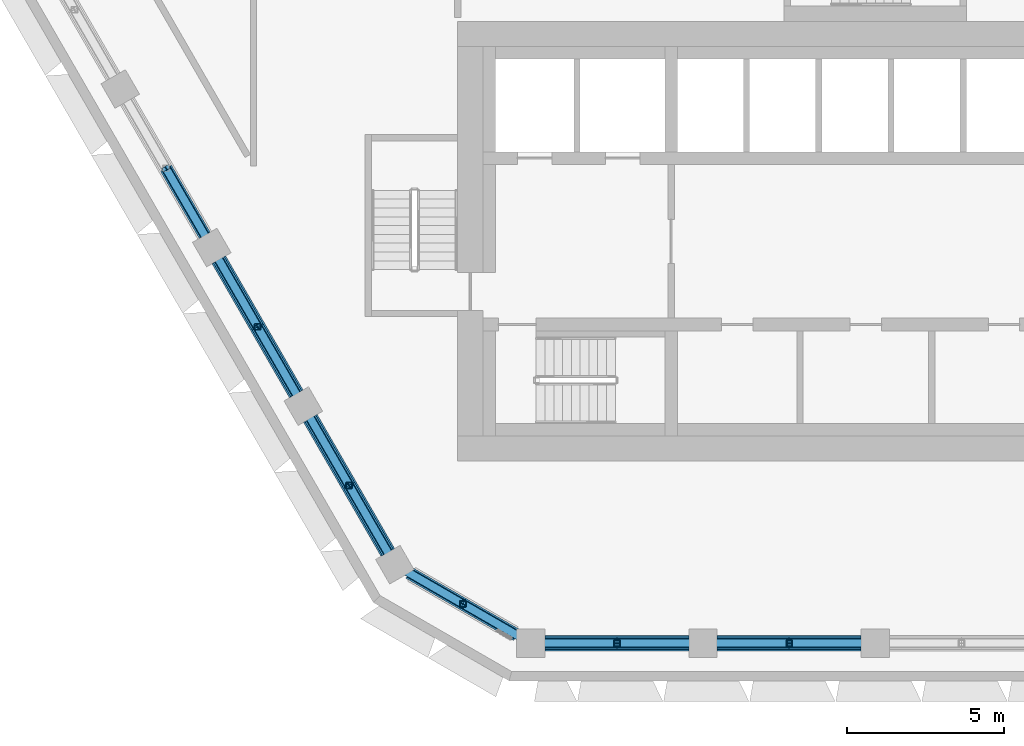
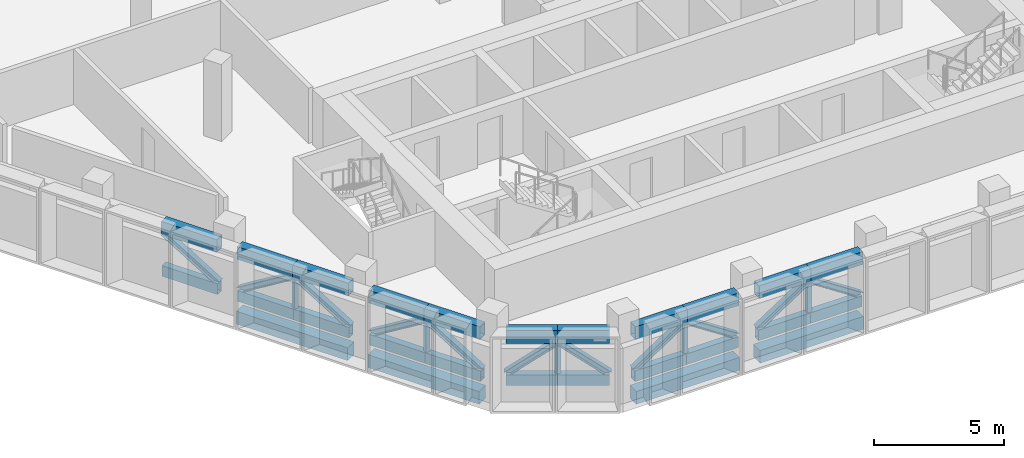
# One storey, part 2 of 22: 38 members, 4 beams.
"""IFC4 building model written with IfcOpenShell, lengths in metres."""

from ifc_helpers import new_model, si_unit, direction, frame, origin, origin_2d, place, context, subcontext, project, spatial, rectangle, hollow_rectangle, i_section, extrude, material, material_profile, profile_set, type_object, element, save


model = new_model("IFC4")

# Units and contexts
model_context = context("Model", 3, precision=1e-05, world=origin(), true_north=direction((0.0, 1.0)))
body_context = subcontext(model_context, "Body", "Model", "MODEL_VIEW")
ifc_project = project(units=[si_unit("LENGTHUNIT", "METRE"), si_unit("AREAUNIT", "SQUARE_METRE"), si_unit("VOLUMEUNIT", "CUBIC_METRE"), si_unit("PLANEANGLEUNIT", "RADIAN"), si_unit("MASSUNIT", "GRAM", prefix="KILO")], contexts=[model_context])

# Site, building, storey
site_placement = place(None, origin())
site = spatial("IfcSite", under=ifc_project, at=site_placement, CompositionType="ELEMENT")
building_placement = place(site_placement, origin())
building = spatial("IfcBuilding", under=site, at=building_placement, Name="Beryl Residences", CompositionType="ELEMENT")
storey_placement = place(building_placement, frame((0.0, 0.0, 153.60009765625)))
storey = spatial("IfcBuildingStorey", under=building, at=storey_placement, Name="L47", CompositionType="ELEMENT", Elevation=153.60009765625)

# Members
ifc_material_1 = material(Name="Steel S355", Category="steel")
ifc_material_profile_1 = material_profile(ifc_material_1, hollow_rectangle(XDim=0.300048828125, YDim=0.5, WallThickness=0.02001953125, at=origin_2d()))
ifc_profile_set_1 = profile_set([ifc_material_profile_1], Name="Steel S355")
member_type_1 = type_object("IfcMemberType", Name="BB3 belt truss bottom chord WB 500x300x20", PredefinedType="CHORD", material=ifc_profile_set_1)
member_1_placement = place(storey_placement, frame((-22.589111328125, -9.674072265625, 0.25), z_axis=(0.500153862642, -0.865936552921, 0.0), x_axis=(0.865936552921, 0.500153862642, 0.0)))
element("IfcMember", 1, at=member_1_placement, inside=storey, type_object=member_type_1, Name="Belt truss BB3-SW-1b L47", PredefinedType="CHORD", context=body_context, shape_type="SweptSolid", body=[
    extrude(hollow_rectangle(XDim=0.300048828125, YDim=0.5, WallThickness=0.02001953125, at=origin_2d()), origin(), (0.0, 0.0, 1.0), 2.465576171875),
])
member_2_placement = place(storey_placement, frame((-20.906005859375, -12.589111328125, 0.25), z_axis=(0.499782473069, -0.866150956597, 0.0), x_axis=(0.866150956597, 0.499782473069, 0.0)))
element("IfcMember", 2, at=member_2_placement, inside=storey, type_object=member_type_1, Name="Belt truss BB3-SW-2a L47", PredefinedType="CHORD", context=body_context, shape_type="SweptSolid", body=[
    extrude(hollow_rectangle(XDim=0.300048828125, YDim=0.5, WallThickness=0.02001953125, at=origin_2d()), origin(), (0.0, 0.0, 1.0), 2.46484375),
])
for number, where, z_axis, x_axis, name in (
    (3, (-19.674072265625, -14.72412109375, 0.25), (0.500196751747, -0.865911779306, 0.0), (0.865911779306, 0.500196751747, 0.0), "Belt truss BB3-SW-2b L47"),
    (4, (-17.990966796875, -17.638916015625, 0.25), (0.500079606793, -0.865979437902, 0.0), (0.865979437902, 0.500079606793, 0.0), "Belt truss BB3-SW-3a L47"),
):
    element("IfcMember", number, at=place(storey_placement, frame(where, z_axis=z_axis, x_axis=x_axis)), inside=storey, type_object=member_type_1, Name=name, PredefinedType="CHORD", context=body_context, shape_type="SweptSolid", body=[
        extrude(hollow_rectangle(XDim=0.300048828125, YDim=0.5, WallThickness=0.02001953125, at=origin_2d()), origin(), (0.0, 0.0, 1.0), 2.46533203125),
    ])
member_3_placement = place(storey_placement, frame((-16.758056640625, -19.77392578125, 0.25), z_axis=(0.500153862642, -0.865936552921, 0.0), x_axis=(0.865936552921, 0.500153862642, 0.0)))
element("IfcMember", 5, at=member_3_placement, inside=storey, type_object=member_type_1, Name="Belt truss BB3-SW-3b L47", PredefinedType="CHORD", context=body_context, shape_type="SweptSolid", body=[
    extrude(hollow_rectangle(XDim=0.300048828125, YDim=0.5, WallThickness=0.02001953125, at=origin_2d()), origin(), (0.0, 0.0, 1.0), 2.465576171875),
])
member_4_placement = place(storey_placement, frame((-14.85009765625, -22.55908203125, 0.25), z_axis=(0.865982457891, -0.500074377092, 0.0), x_axis=(0.500074377092, 0.865982457891, 0.0)))
element("IfcMember", 6, at=member_4_placement, inside=storey, type_object=member_type_1, Name="Belt truss BB3-SW-4a L47", PredefinedType="CHORD", context=body_context, shape_type="SweptSolid", body=[
    extrude(hollow_rectangle(XDim=0.300048828125, YDim=0.5, WallThickness=0.02001953125, at=origin_2d()), origin(), (0.0, 0.0, 1.0), 1.981689453125),
])
member_5_placement = place(storey_placement, frame((-13.134033203125, -23.550048828125, 0.25), z_axis=(0.866072678707, -0.499918108492, 0.0), x_axis=(0.499918108492, 0.866072678707, 0.0)))
element("IfcMember", 7, at=member_5_placement, inside=storey, type_object=member_type_1, Name="Belt truss BB3-SW-4b L47", PredefinedType="CHORD", context=body_context, shape_type="SweptSolid", body=[
    extrude(hollow_rectangle(XDim=0.300048828125, YDim=0.5, WallThickness=0.02001953125, at=origin_2d()), origin(), (0.0, 0.0, 1.0), 1.980224609375),
])
member_6_placement = place(storey_placement, frame((-10.51904296875, -24.800048828125, 0.25), z_axis=(1.0, 0.0, 0.0), x_axis=(0.0, 1.0, 0.0)))
element("IfcMember", 8, at=member_6_placement, inside=storey, type_object=member_type_1, Name="Belt truss BB3-S-0a L47", PredefinedType="CHORD", context=body_context, shape_type="SweptSolid", body=[
    extrude(hollow_rectangle(XDim=0.300048828125, YDim=0.5, WallThickness=0.02001953125, at=origin_2d()), origin(), (0.0, 0.0, 1.0), 2.29296875),
])
member_7_placement = place(storey_placement, frame((-8.22607421875, -24.800048828125, 0.25), z_axis=(1.0, 0.0, 0.0), x_axis=(0.0, 1.0, 0.0)))
element("IfcMember", 9, at=member_7_placement, inside=storey, type_object=member_type_1, Name="Belt truss BB3-S-0b L47", PredefinedType="CHORD", context=body_context, shape_type="SweptSolid", body=[
    extrude(hollow_rectangle(XDim=0.300048828125, YDim=0.5, WallThickness=0.02001953125, at=origin_2d()), origin(), (0.0, 0.0, 1.0), 2.2919921875),
])
member_8_placement = place(storey_placement, frame((-5.033935546875, -24.800048828125, 0.25), z_axis=(1.0, 0.0, 0.0), x_axis=(0.0, 1.0, 0.0)))
element("IfcMember", 10, at=member_8_placement, inside=storey, type_object=member_type_1, Name="Belt truss BB3-S-1a L47", PredefinedType="CHORD", context=body_context, shape_type="SweptSolid", body=[
    extrude(hollow_rectangle(XDim=0.300048828125, YDim=0.5, WallThickness=0.02001953125, at=origin_2d()), origin(), (0.0, 0.0, 1.0), 2.29296875),
])
member_9_placement = place(storey_placement, frame((-2.740966796875, -24.800048828125, 0.25), z_axis=(1.0, 0.0, 0.0), x_axis=(0.0, 1.0, 0.0)))
element("IfcMember", 11, at=member_9_placement, inside=storey, type_object=member_type_1, Name="Belt truss BB3-S-1b L47", PredefinedType="CHORD", context=body_context, shape_type="SweptSolid", body=[
    extrude(hollow_rectangle(XDim=0.300048828125, YDim=0.5, WallThickness=0.02001953125, at=origin_2d()), origin(), (0.0, 0.0, 1.0), 2.2919921875),
])
ifc_material_2 = material(Name="Steel S355", Category="steel")
ifc_material_profile_2 = material_profile(ifc_material_2, i_section(OverallWidth=0.256103515625, OverallDepth=0.260009765625, WebThickness=0.010498046875, FlangeThickness=0.017333984375, FilletRadius=0.013916015625, at=origin_2d()))
ifc_profile_set_2 = profile_set([ifc_material_profile_2], Name="Steel S355")
member_type_2 = type_object("IfcMemberType", Name="BD3 belt truss diagonal 250UC90", PredefinedType="BRACE", material=ifc_profile_set_2)
member_10_placement = place(storey_placement, frame((-21.35595703125, -11.80908203125, 0.5), z_axis=(-0.42728992458, 0.73978427845, 0.519752384997), x_axis=(-0.865936552921, -0.500153862642, 0.0)))
element("IfcMember", 12, at=member_10_placement, inside=storey, type_object=member_type_2, Name="Belt truss BD3-SW-1b L47", PredefinedType="BRACE", context=body_context, shape_type="SweptSolid", body=[
    extrude(i_section(OverallWidth=0.256103515625, OverallDepth=0.260009765625, WebThickness=0.010498046875, FlangeThickness=0.017333984375, FilletRadius=0.013916015625, at=origin_2d()), origin(), (0.0, 0.0, 1.0), 2.885986328125),
])
member_11_placement = place(storey_placement, frame((-20.906005859375, -12.589111328125, 0.5), z_axis=(0.426944080752, -0.739917952076, 0.519846300464), x_axis=(0.866150956597, 0.499782473069, 0.0)))
element("IfcMember", 13, at=member_11_placement, inside=storey, type_object=member_type_2, Name="Belt truss BD3-SW-2a L47", PredefinedType="BRACE", context=body_context, shape_type="SweptSolid", body=[
    extrude(i_section(OverallWidth=0.256103515625, OverallDepth=0.260009765625, WebThickness=0.010498046875, FlangeThickness=0.017333984375, FilletRadius=0.013916015625, at=origin_2d()), origin(), (0.0, 0.0, 1.0), 2.885498046875),
])
member_12_placement = place(storey_placement, frame((-18.44091796875, -16.85888671875, 0.5), z_axis=(-0.427316666277, 0.73974597702, 0.519784913405), x_axis=(-0.865911779306, -0.500196751747, 0.0)))
element("IfcMember", 14, at=member_12_placement, inside=storey, type_object=member_type_2, Name="Belt truss BD3-SW-2b L47", PredefinedType="BRACE", context=body_context, shape_type="SweptSolid", body=[
    extrude(i_section(OverallWidth=0.256103515625, OverallDepth=0.260009765625, WebThickness=0.010498046875, FlangeThickness=0.017333984375, FilletRadius=0.013916015625, at=origin_2d()), origin(), (0.0, 0.0, 1.0), 2.8857421875),
])
for number, where, z_axis, x_axis, name in (
    (15, (-17.990966796875, -17.638916015625, 0.5), (0.427220770811, -0.739811017969, 0.519771171458), (0.865979437902, 0.500079606793, 0.0), "Belt truss BD3-SW-3a L47"),
    (16, (-15.52490234375, -21.908935546875, 0.5), (-0.42728992458, 0.73978427845, 0.519752384997), (-0.865936552921, -0.500153862642, 0.0), "Belt truss BD3-SW-3b L47"),
):
    element("IfcMember", number, at=place(storey_placement, frame(where, z_axis=z_axis, x_axis=x_axis)), inside=storey, type_object=member_type_2, Name=name, PredefinedType="BRACE", context=body_context, shape_type="SweptSolid", body=[
        extrude(i_section(OverallWidth=0.256103515625, OverallDepth=0.260009765625, WebThickness=0.010498046875, FlangeThickness=0.017333984375, FilletRadius=0.013916015625, at=origin_2d()), origin(), (0.0, 0.0, 1.0), 2.885986328125),
    ])
member_13_placement = place(storey_placement, frame((-14.85009765625, -22.55908203125, 0.5), z_axis=(0.690475983485, -0.398725567928, 0.603540253597), x_axis=(0.500074377092, 0.865982457891, 0.0)))
element("IfcMember", 17, at=member_13_placement, inside=storey, type_object=member_type_2, Name="Belt truss BD3-SW-4a L47", PredefinedType="BRACE", context=body_context, shape_type="SweptSolid", body=[
    extrude(i_section(OverallWidth=0.256103515625, OverallDepth=0.260009765625, WebThickness=0.010498046875, FlangeThickness=0.017333984375, FilletRadius=0.013916015625, at=origin_2d()), origin(), (0.0, 0.0, 1.0), 2.4853515625),
])
member_14_placement = place(storey_placement, frame((-11.4189453125, -24.5400390625, 0.5), z_axis=(-0.690378478297, 0.398503164341, 0.603798629275), x_axis=(-0.499918108492, -0.866072678707, 0.0)))
element("IfcMember", 18, at=member_14_placement, inside=storey, type_object=member_type_2, Name="Belt truss BD3-SW-4b L47", PredefinedType="BRACE", context=body_context, shape_type="SweptSolid", body=[
    extrude(i_section(OverallWidth=0.256103515625, OverallDepth=0.260009765625, WebThickness=0.010498046875, FlangeThickness=0.017333984375, FilletRadius=0.013916015625, at=origin_2d()), origin(), (0.0, 0.0, 1.0), 2.484375),
])
member_15_placement = place(storey_placement, frame((-10.51904296875, -24.800048828125, 0.5), z_axis=(0.836844018431, 0.0, 0.547441402176), x_axis=(0.0, 1.0, 0.0)))
element("IfcMember", 19, at=member_15_placement, inside=storey, type_object=member_type_2, Name="Belt truss BD3-S-0a L47", PredefinedType="BRACE", context=body_context, shape_type="SweptSolid", body=[
    extrude(i_section(OverallWidth=0.256103515625, OverallDepth=0.260009765625, WebThickness=0.010498046875, FlangeThickness=0.017333984375, FilletRadius=0.013916015625, at=origin_2d()), origin(), (0.0, 0.0, 1.0), 2.739990234375),
])
member_16_placement = place(storey_placement, frame((-5.93408203125, -24.800048828125, 0.5), z_axis=(-0.83673715822, 0.0, 0.547604718801), x_axis=(0.0, -1.0, 0.0)))
element("IfcMember", 20, at=member_16_placement, inside=storey, type_object=member_type_2, Name="Belt truss BD3-S-0b L47", PredefinedType="BRACE", context=body_context, shape_type="SweptSolid", body=[
    extrude(i_section(OverallWidth=0.256103515625, OverallDepth=0.260009765625, WebThickness=0.010498046875, FlangeThickness=0.017333984375, FilletRadius=0.013916015625, at=origin_2d()), origin(), (0.0, 0.0, 1.0), 2.7392578125),
])
member_17_placement = place(storey_placement, frame((-5.033935546875, -24.800048828125, 0.5), z_axis=(0.836844018431, 0.0, 0.547441402176), x_axis=(0.0, 1.0, 0.0)))
element("IfcMember", 21, at=member_17_placement, inside=storey, type_object=member_type_2, Name="Belt truss BD3-S-1a L47", PredefinedType="BRACE", context=body_context, shape_type="SweptSolid", body=[
    extrude(i_section(OverallWidth=0.256103515625, OverallDepth=0.260009765625, WebThickness=0.010498046875, FlangeThickness=0.017333984375, FilletRadius=0.013916015625, at=origin_2d()), origin(), (0.0, 0.0, 1.0), 2.739990234375),
])
member_18_placement = place(storey_placement, frame((-0.448974609375, -24.800048828125, 0.5), z_axis=(-0.83673715822, 0.0, 0.547604718801), x_axis=(0.0, -1.0, 0.0)))
element("IfcMember", 22, at=member_18_placement, inside=storey, type_object=member_type_2, Name="Belt truss BD3-S-1b L47", PredefinedType="BRACE", context=body_context, shape_type="SweptSolid", body=[
    extrude(i_section(OverallWidth=0.256103515625, OverallDepth=0.260009765625, WebThickness=0.010498046875, FlangeThickness=0.017333984375, FilletRadius=0.013916015625, at=origin_2d()), origin(), (0.0, 0.0, 1.0), 2.7392578125),
])
ifc_material_3 = material(Name="Steel S355", Category="steel")
ifc_material_profile_3 = material_profile(ifc_material_3, hollow_rectangle(XDim=0.199951171875, YDim=0.199951171875, WallThickness=0.009033203125, InnerFilletRadius=0.009033203125, OuterFilletRadius=0.01806640625, at=origin_2d()))
ifc_profile_set_3 = profile_set([ifc_material_profile_3], Name="Steel S355")
member_type_3 = type_object("IfcMemberType", Name="BQ3 belt truss post SHS 200x200x9", PredefinedType="POST", material=ifc_profile_set_3)
for number, where, z_axis, x_axis, name in (
    (23, (-19.674072265625, -14.72412109375, 0.5), (0.0, 0.0, 1.0), (1.0, 0.0, 0.0), "Belt truss BQ3-SW-2 L47"),
    (24, (-16.758056640625, -19.77392578125, 0.5), (0.0, 0.0, 1.0), (1.0, 0.0, 0.0), "Belt truss BQ3-SW-3 L47"),
    (25, (-13.134033203125, -23.550048828125, 0.5), (0.0, 0.0, 1.0), (1.0, 0.0, 0.0), "Belt truss BQ3-SW-4 L47"),
    (26, (-8.22607421875, -24.800048828125, 0.5), (0.0, 0.0, 1.0), (1.0, 0.0, 0.0), "Belt truss BQ3-S-0 L47"),
    (27, (-2.740966796875, -24.800048828125, 0.5), (0.0, 0.0, 1.0), (1.0, 0.0, 0.0), "Belt truss BQ3-S-1 L47"),
):
    element("IfcMember", number, at=place(storey_placement, frame(where, z_axis=z_axis, x_axis=x_axis)), inside=storey, type_object=member_type_3, Name=name, PredefinedType="POST", context=body_context, shape_type="SweptSolid", body=[
        extrude(hollow_rectangle(XDim=0.199951171875, YDim=0.199951171875, WallThickness=0.009033203125, InnerFilletRadius=0.009033203125, OuterFilletRadius=0.01806640625, at=origin_2d()), origin(), (0.0, 0.0, 1.0), 1.5),
    ])
ifc_material_4 = material(Name="Steel S355", Category="steel")
ifc_material_profile_4 = material_profile(ifc_material_4, hollow_rectangle(XDim=0.39990234375, YDim=0.60009765625, WallThickness=0.030029296875, at=origin_2d()))
ifc_profile_set_4 = profile_set([ifc_material_profile_4], Name="Steel S355")
member_type_4 = type_object("IfcMemberType", Name="BT3 belt truss top chord WB 600x400x30", PredefinedType="CHORD", material=ifc_profile_set_4)
member_19_placement = place(storey_placement, frame((-22.589111328125, -9.674072265625, 2.2998046875), z_axis=(0.500153862642, -0.865936552921, 0.0), x_axis=(0.865936552921, 0.500153862642, 0.0)))
element("IfcMember", 28, at=member_19_placement, inside=storey, type_object=member_type_4, Name="Belt truss BT3-SW-1b L47", PredefinedType="CHORD", context=body_context, shape_type="SweptSolid", body=[
    extrude(hollow_rectangle(XDim=0.39990234375, YDim=0.60009765625, WallThickness=0.030029296875, at=origin_2d()), origin(), (0.0, 0.0, 1.0), 2.465576171875),
])
member_20_placement = place(storey_placement, frame((-20.906005859375, -12.589111328125, 2.2998046875), z_axis=(0.499782473069, -0.866150956597, 0.0), x_axis=(0.866150956597, 0.499782473069, 0.0)))
element("IfcMember", 29, at=member_20_placement, inside=storey, type_object=member_type_4, Name="Belt truss BT3-SW-2a L47", PredefinedType="CHORD", context=body_context, shape_type="SweptSolid", body=[
    extrude(hollow_rectangle(XDim=0.39990234375, YDim=0.60009765625, WallThickness=0.030029296875, at=origin_2d()), origin(), (0.0, 0.0, 1.0), 2.46484375),
])
for number, where, z_axis, x_axis, name in (
    (30, (-19.674072265625, -14.72412109375, 2.2998046875), (0.500196751747, -0.865911779306, 0.0), (0.865911779306, 0.500196751747, 0.0), "Belt truss BT3-SW-2b L47"),
    (31, (-17.990966796875, -17.638916015625, 2.2998046875), (0.500079606793, -0.865979437902, 0.0), (0.865979437902, 0.500079606793, 0.0), "Belt truss BT3-SW-3a L47"),
):
    element("IfcMember", number, at=place(storey_placement, frame(where, z_axis=z_axis, x_axis=x_axis)), inside=storey, type_object=member_type_4, Name=name, PredefinedType="CHORD", context=body_context, shape_type="SweptSolid", body=[
        extrude(hollow_rectangle(XDim=0.39990234375, YDim=0.60009765625, WallThickness=0.030029296875, at=origin_2d()), origin(), (0.0, 0.0, 1.0), 2.46533203125),
    ])
member_21_placement = place(storey_placement, frame((-16.758056640625, -19.77392578125, 2.2998046875), z_axis=(0.500153862642, -0.865936552921, 0.0), x_axis=(0.865936552921, 0.500153862642, 0.0)))
element("IfcMember", 32, at=member_21_placement, inside=storey, type_object=member_type_4, Name="Belt truss BT3-SW-3b L47", PredefinedType="CHORD", context=body_context, shape_type="SweptSolid", body=[
    extrude(hollow_rectangle(XDim=0.39990234375, YDim=0.60009765625, WallThickness=0.030029296875, at=origin_2d()), origin(), (0.0, 0.0, 1.0), 2.465576171875),
])
member_22_placement = place(storey_placement, frame((-14.85009765625, -22.55908203125, 2.2998046875), z_axis=(0.865982457891, -0.500074377092, 0.0), x_axis=(0.500074377092, 0.865982457891, 0.0)))
element("IfcMember", 33, at=member_22_placement, inside=storey, type_object=member_type_4, Name="Belt truss BT3-SW-4a L47", PredefinedType="CHORD", context=body_context, shape_type="SweptSolid", body=[
    extrude(hollow_rectangle(XDim=0.39990234375, YDim=0.60009765625, WallThickness=0.030029296875, at=origin_2d()), origin(), (0.0, 0.0, 1.0), 1.981689453125),
])
member_23_placement = place(storey_placement, frame((-13.134033203125, -23.550048828125, 2.2998046875), z_axis=(0.866072678707, -0.499918108492, 0.0), x_axis=(0.499918108492, 0.866072678707, 0.0)))
element("IfcMember", 34, at=member_23_placement, inside=storey, type_object=member_type_4, Name="Belt truss BT3-SW-4b L47", PredefinedType="CHORD", context=body_context, shape_type="SweptSolid", body=[
    extrude(hollow_rectangle(XDim=0.39990234375, YDim=0.60009765625, WallThickness=0.030029296875, at=origin_2d()), origin(), (0.0, 0.0, 1.0), 1.980224609375),
])
member_24_placement = place(storey_placement, frame((-10.51904296875, -24.800048828125, 2.2998046875), z_axis=(1.0, 0.0, 0.0), x_axis=(0.0, 1.0, 0.0)))
element("IfcMember", 35, at=member_24_placement, inside=storey, type_object=member_type_4, Name="Belt truss BT3-S-0a L47", PredefinedType="CHORD", context=body_context, shape_type="SweptSolid", body=[
    extrude(hollow_rectangle(XDim=0.39990234375, YDim=0.60009765625, WallThickness=0.030029296875, at=origin_2d()), origin(), (0.0, 0.0, 1.0), 2.29296875),
])
member_25_placement = place(storey_placement, frame((-8.22607421875, -24.800048828125, 2.2998046875), z_axis=(1.0, 0.0, 0.0), x_axis=(0.0, 1.0, 0.0)))
element("IfcMember", 36, at=member_25_placement, inside=storey, type_object=member_type_4, Name="Belt truss BT3-S-0b L47", PredefinedType="CHORD", context=body_context, shape_type="SweptSolid", body=[
    extrude(hollow_rectangle(XDim=0.39990234375, YDim=0.60009765625, WallThickness=0.030029296875, at=origin_2d()), origin(), (0.0, 0.0, 1.0), 2.2919921875),
])
member_26_placement = place(storey_placement, frame((-5.033935546875, -24.800048828125, 2.2998046875), z_axis=(1.0, 0.0, 0.0), x_axis=(0.0, 1.0, 0.0)))
element("IfcMember", 37, at=member_26_placement, inside=storey, type_object=member_type_4, Name="Belt truss BT3-S-1a L47", PredefinedType="CHORD", context=body_context, shape_type="SweptSolid", body=[
    extrude(hollow_rectangle(XDim=0.39990234375, YDim=0.60009765625, WallThickness=0.030029296875, at=origin_2d()), origin(), (0.0, 0.0, 1.0), 2.29296875),
])
member_27_placement = place(storey_placement, frame((-2.740966796875, -24.800048828125, 2.2998046875), z_axis=(1.0, 0.0, 0.0), x_axis=(0.0, 1.0, 0.0)))
element("IfcMember", 38, at=member_27_placement, inside=storey, type_object=member_type_4, Name="Belt truss BT3-S-1b L47", PredefinedType="CHORD", context=body_context, shape_type="SweptSolid", body=[
    extrude(hollow_rectangle(XDim=0.39990234375, YDim=0.60009765625, WallThickness=0.030029296875, at=origin_2d()), origin(), (0.0, 0.0, 1.0), 2.2919921875),
])

# Beams
ifc_material_5 = material(Name="Concrete C60/75", Category="concrete")
ifc_material_profile_5 = material_profile(ifc_material_5, rectangle(XDim=0.5, YDim=0.60009765625, at=origin_2d()))
ifc_profile_set_5 = profile_set([ifc_material_profile_5], Name="Concrete C60/75")
beam_type = type_object("IfcBeamType", Name="SB3 spandrel beam 500 x 600 C60/75", PredefinedType="SPANDREL", material=ifc_profile_set_5)
beam_1_placement = place(storey_placement, frame((-20.906005859375, -12.589111328125, -0.7001953125), z_axis=(0.499989643469, -0.866031383048, 0.0), x_axis=(0.866031383048, 0.499989643469, 0.0)))
element("IfcBeam", 39, at=beam_1_placement, inside=storey, type_object=beam_type, Name="SB3 L47 SW-2", PredefinedType="SPANDREL", context=body_context, shape_type="SweptSolid", body=[
    extrude(rectangle(XDim=0.5, YDim=0.60009765625, at=origin_2d()), origin(), (0.0, 0.0, 1.0), 4.93017578125),
])
beam_2_placement = place(storey_placement, frame((-17.990966796875, -17.638916015625, -0.7001953125), z_axis=(0.500116736097, -0.865957995677, 0.0), x_axis=(0.865957995677, 0.500116736097, 0.0)))
element("IfcBeam", 40, at=beam_2_placement, inside=storey, type_object=beam_type, Name="SB3 L47 SW-3", PredefinedType="SPANDREL", context=body_context, shape_type="SweptSolid", body=[
    extrude(rectangle(XDim=0.5, YDim=0.60009765625, at=origin_2d()), origin(), (0.0, 0.0, 1.0), 4.930908203125),
])
for number, where, z_axis, x_axis, name in (
    (41, (-10.51904296875, -24.800048828125, -0.7001953125), (1.0, 0.0, 0.0), (0.0, 1.0, 0.0), "SB3 L47 S-0"),
    (42, (-5.033935546875, -24.800048828125, -0.7001953125), (1.0, 0.0, 0.0), (0.0, 1.0, 0.0), "SB3 L47 S-1"),
):
    element("IfcBeam", number, at=place(storey_placement, frame(where, z_axis=z_axis, x_axis=x_axis)), inside=storey, type_object=beam_type, Name=name, PredefinedType="SPANDREL", context=body_context, shape_type="SweptSolid", body=[
        extrude(rectangle(XDim=0.5, YDim=0.60009765625, at=origin_2d()), origin(), (0.0, 0.0, 1.0), 4.5849609375),
    ])

save(model, "model.ifc")
